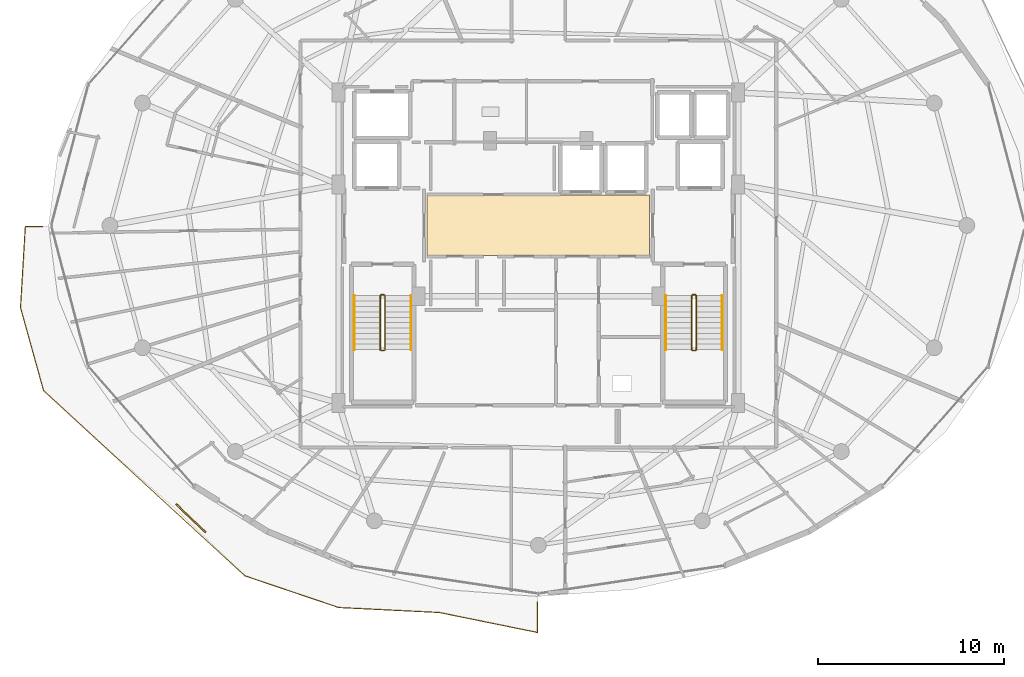
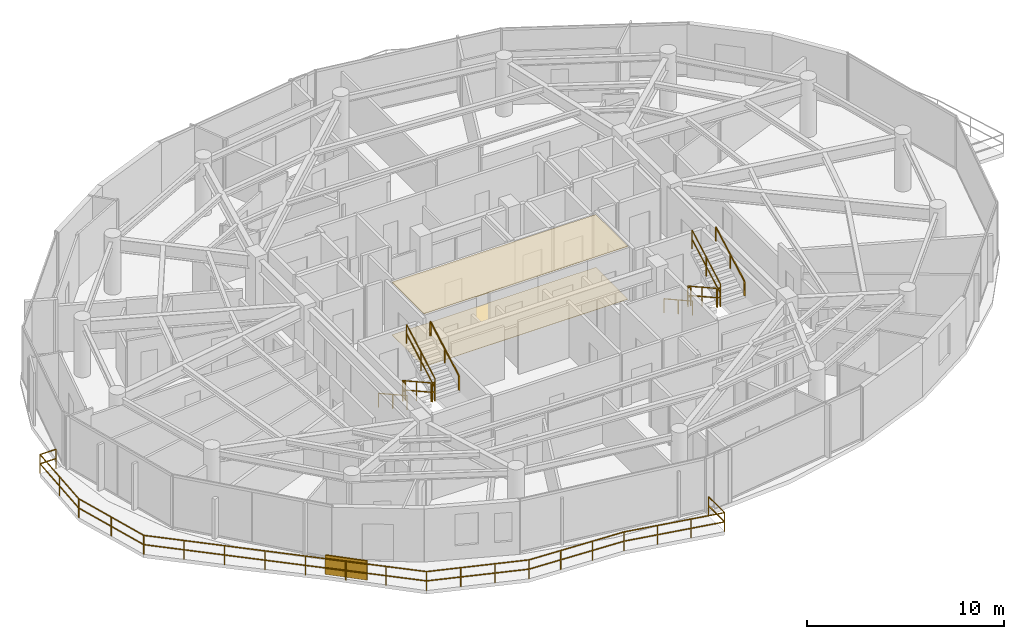
# One storey, part 29 of 31: 14 railings, 2 coverings, 1 shading device.
"""IFC4 building model written with IfcOpenShell, lengths in metres."""

import ifcopenshell
import ifcopenshell.guid

model = None  # the IFC model being written
_history = None  # IfcOwnerHistory: only IFC2X3 demands one
_inside = {}  # id of a spatial element -> (the spatial element, [elements in it])
_under = {}  # id of a project, library or spatial element -> (it, [spatial elements below it])
_declared = {}  # id of a project -> (the project, [libraries it declares])
_typed = {}  # id of a type object -> (the type object, [elements of that type])
_made_of = {}  # id of a material, layer set ... -> (it, [elements and type objects made of it])


def new_model(schema):
    """Start an empty IFC model of exactly this schema.

    Asked for "IFC4X3", IfcOpenShell would pick the latest addendum, in which some entities
    have other attributes; the version numbers below select the first issue.
    IFC2X3 requires an IfcOwnerHistory on every rooted entity: one is made here for all.
    """
    global model, _history
    if schema == "IFC4X3":
        model = ifcopenshell.file(schema_version=(4, 3, 0, 0))
    else:
        model = ifcopenshell.file(schema=schema)
    _inside.clear()
    _under.clear()
    _declared.clear()
    _typed.clear()
    _made_of.clear()
    _history = None
    if model.schema == "IFC2X3":
        org = make("IfcOrganization", Name="unknown")
        user = make(
            "IfcPersonAndOrganization",
            ThePerson=make("IfcPerson", FamilyName="unknown"),
            TheOrganization=org,
        )
        app = make(
            "IfcApplication",
            ApplicationDeveloper=org,
            Version="unknown",
            ApplicationFullName="unknown",
            ApplicationIdentifier="unknown",
        )
        _history = make(
            "IfcOwnerHistory",
            OwningUser=user,
            OwningApplication=app,
            ChangeAction="ADDED",
            CreationDate=0,
        )
    return model


def make(cls, **values):
    """One entity of the class cls with the attributes given. An attribute that is None is left unset."""
    return model.create_entity(
        cls, **{name: value for name, value in values.items() if value is not None}
    )


def rooted(cls, **values):
    """An entity with a GlobalId (a new one), such as an element, a storey or a relation."""
    return make(cls, GlobalId=ifcopenshell.guid.new(), OwnerHistory=_history, **values)


def si_unit(unit_type, name, prefix=None):
    """IfcSIUnit, for example si_unit("LENGTHUNIT", "METRE", prefix="MILLI")."""
    return make("IfcSIUnit", UnitType=unit_type, Prefix=prefix, Name=name)


def assignment(units):
    """IfcUnitAssignment: the units of a project."""
    return None if units is None else make("IfcUnitAssignment", Units=units)


def point(xyz):
    """IfcCartesianPoint."""
    return None if xyz is None else make("IfcCartesianPoint", Coordinates=xyz)


def direction(xyz):
    """IfcDirection."""
    return None if xyz is None else make("IfcDirection", DirectionRatios=xyz)


def frame(location, z_axis=None, x_axis=None):
    """IfcAxis2Placement3D, a coordinate frame: its origin and axes. An axis left out is left unset."""
    return make(
        "IfcAxis2Placement3D",
        Location=point(location),
        Axis=direction(z_axis),
        RefDirection=direction(x_axis),
    )


def frame_2d(location, x_axis=None):
    """IfcAxis2Placement2D, a coordinate frame in the plane: its origin and x axis."""
    return make(
        "IfcAxis2Placement2D", Location=point(location), RefDirection=direction(x_axis)
    )


def origin():
    """The frame at (0, 0, 0) with its axes left unset."""
    return frame((0.0, 0.0, 0.0))


def origin_2d():
    """The frame at (0, 0) in the plane with its x axis left unset."""
    return frame_2d((0.0, 0.0))


def place(relative_to, where):
    """IfcLocalPlacement: puts the frame where relative to a parent placement (None: the world)."""
    return make(
        "IfcLocalPlacement", PlacementRelTo=relative_to, RelativePlacement=where
    )


def context(
    kind, dimensions, precision=None, world=None, true_north=None, identifier=None
):
    """IfcGeometricRepresentationContext, for example the 3D "Model" context."""
    return make(
        "IfcGeometricRepresentationContext",
        ContextIdentifier=identifier,
        ContextType=kind,
        CoordinateSpaceDimension=dimensions,
        Precision=precision,
        WorldCoordinateSystem=world,
        TrueNorth=true_north,
    )


def subcontext(parent, identifier, kind, view, scale=None):
    """IfcGeometricRepresentationSubContext, for example "Body" below "Model"."""
    return make(
        "IfcGeometricRepresentationSubContext",
        ContextIdentifier=identifier,
        ContextType=kind,
        ParentContext=parent,
        TargetScale=scale,
        TargetView=view,
    )


def project(units=None, contexts=None):
    """IfcProject with its units and contexts."""
    return rooted(
        "IfcProject",
        Name="project",
        RepresentationContexts=contexts,
        UnitsInContext=assignment(units),
    )


def spatial(cls, under=None, at=None, **own):
    """A site, building, storey or space (cls), placed at a placement, below another one or the project."""
    s = rooted(cls, ObjectPlacement=at, **own)
    if under is not None:
        _under.setdefault(under.id(), (under, []))[1].append(s)
    return s


def polyline(points):
    """IfcPolyline through the points."""
    return make("IfcPolyline", Points=[point(p) for p in points])


def profile(cls, at=None, kind="AREA", **sizes):
    """A parametric profile (cls). Its sizes go by their IFC names, for example OverallWidth=200.0."""
    return make(cls, ProfileType=kind, Position=at, **sizes)


def rectangle(**sizes):
    """IfcRectangleProfileDef."""
    return profile("IfcRectangleProfileDef", **sizes)


def outline(outer, holes=None, kind="AREA"):
    """IfcArbitraryClosedProfileDef: a profile drawn as a closed curve; with holes, ...WithVoids."""
    if holes is None:
        return make("IfcArbitraryClosedProfileDef", ProfileType=kind, OuterCurve=outer)
    return make(
        "IfcArbitraryProfileDefWithVoids",
        ProfileType=kind,
        OuterCurve=outer,
        InnerCurves=holes,
    )


def extrude(swept, where, along, depth):
    """IfcExtrudedAreaSolid: the profile swept, set in the frame where, extruded along a direction by depth."""
    return make(
        "IfcExtrudedAreaSolid",
        SweptArea=swept,
        Position=where,
        ExtrudedDirection=direction(along),
        Depth=depth,
    )


def shape(context_of_items, identifier, shape_type, items):
    """IfcShapeRepresentation: the items that make up one representation, for example the "Body"."""
    return make(
        "IfcShapeRepresentation",
        ContextOfItems=context_of_items,
        RepresentationIdentifier=identifier,
        RepresentationType=shape_type,
        Items=items,
    )


def material(Name=None, Category=None):
    """IfcMaterial."""
    return make("IfcMaterial", Name=Name, Category=Category)


def layer(
    of_material, thickness, ventilated=None, Name=None, Category=None, Priority=None
):
    """IfcMaterialLayer: one layer of a wall or slab, of a material (None: an air gap)."""
    return make(
        "IfcMaterialLayer",
        Material=of_material,
        LayerThickness=thickness,
        IsVentilated=ventilated,
        Name=Name,
        Category=Category,
        Priority=Priority,
    )


def layer_set(layers, Name=None):
    """IfcMaterialLayerSet."""
    return make("IfcMaterialLayerSet", MaterialLayers=layers, LayerSetName=Name)


def made_of(thing, what):
    """Note that an element or type object is made of a material, layer set ...; save() writes the relation."""
    if what is not None:
        _made_of.setdefault(what.id(), (what, []))[1].append(thing)
    return thing


def type_object(cls, material=None, **own):
    """A type object (cls), such as IfcWallType, which elements share."""
    return made_of(rooted(cls, **own), material)


def element(
    cls,
    number,
    at=None,
    inside=None,
    cuts=None,
    type_object=None,
    material=None,
    context=None,
    identifier="Body",
    shape_type=None,
    held_by="IfcProductDefinitionShape",
    body=None,
    shapes=None,
    **own,
):
    """One element of the class cls, such as IfcWall. Its Tag is "e" and its number.

    at: its placement. inside: the storey or other place that contains it. cuts: it is an
    opening in that element (IfcRelVoidsElement). A single representation is given by context,
    identifier, shape_type and body (its items); several are given by shapes. held_by: the class
    of the entity that holds the representations. save() writes the other relations.
    """
    e = rooted(cls, Tag="e%d" % number, ObjectPlacement=at, **own)
    if body is not None:
        shapes = [shape(context, identifier, shape_type, body)]
    if shapes is not None:
        e.Representation = make(held_by, Representations=shapes)
    if inside is not None:
        _inside.setdefault(inside.id(), (inside, []))[1].append(e)
    if cuts is not None:
        rooted(
            "IfcRelVoidsElement", RelatingBuildingElement=cuts, RelatedOpeningElement=e
        )
    if type_object is not None:
        _typed.setdefault(type_object.id(), (type_object, []))[1].append(e)
    return made_of(e, material)


def aggregate(whole, parts):
    """IfcRelAggregates: a whole, such as a stair, and the parts it consists of."""
    return rooted("IfcRelAggregates", RelatingObject=whole, RelatedObjects=parts)


def save(model, path):
    """Write the relations noted so far, then the file.

    IfcRelAggregates (storeys below a building ...), IfcRelContainedInSpatialStructure (elements
    in a storey), IfcRelDefinesByType, IfcRelAssociatesMaterial and IfcRelDeclares: one each for
    every whole, place, type object, material and project.
    """
    for whole, parts in _under.values():
        aggregate(whole, parts)
    for where, things in _inside.values():
        rooted(
            "IfcRelContainedInSpatialStructure",
            RelatedElements=things,
            RelatingStructure=where,
        )
    for kind, things in _typed.values():
        rooted("IfcRelDefinesByType", RelatedObjects=things, RelatingType=kind)
    for what, things in _made_of.values():
        rooted("IfcRelAssociatesMaterial", RelatedObjects=things, RelatingMaterial=what)
    for by, libraries in _declared.values():
        rooted("IfcRelDeclares", RelatingContext=by, RelatedDefinitions=libraries)
    model.write(path)


model = new_model("IFC4")

# Units and contexts
model_context = context("Model", 3, precision=1e-05, world=origin(), true_north=direction((0.0, 1.0)))
body_context = subcontext(model_context, "Body", "Model", "MODEL_VIEW")
ifc_project = project(units=[si_unit("LENGTHUNIT", "METRE"), si_unit("AREAUNIT", "SQUARE_METRE"), si_unit("VOLUMEUNIT", "CUBIC_METRE"), si_unit("PLANEANGLEUNIT", "RADIAN"), si_unit("MASSUNIT", "GRAM", prefix="KILO")], contexts=[model_context])

# Site, building, storey
site_placement = place(None, origin())
site = spatial("IfcSite", under=ifc_project, at=site_placement, CompositionType="ELEMENT")
building_placement = place(site_placement, origin())
building = spatial("IfcBuilding", under=site, at=building_placement, Name="Vorneva Point Tower", CompositionType="ELEMENT")
storey_placement = place(building_placement, frame((0.0, 0.0, 266.199951171875)))
storey = spatial("IfcBuildingStorey", under=building, at=storey_placement, Name="L72", CompositionType="ELEMENT", Elevation=266.199951171875)

# Coverings
ifc_material_1 = material(Name="Perforated acoustic aluminium baffle ceiling", Category="aluminium")
ifc_layer_1 = layer(ifc_material_1, 0.030029296875)
ifc_layer_set_1 = layer_set([ifc_layer_1], Name="Perforated acoustic aluminium baffle ceiling")
covering_type_1 = type_object("IfcCoveringType", Name="COV-CEIL-BAF", PredefinedType="CEILING", material=ifc_layer_set_1)
covering_1_placement = place(storey_placement, frame((0.0, 0.0, 3.260009765625)))
element("IfcCovering", 1, at=covering_1_placement, inside=storey, type_object=covering_type_1, Name="L72 Lift Lobby Acoustic Baffle Ceiling", PredefinedType="CEILING", context=body_context, shape_type="SweptSolid", body=[
    extrude(outline(polyline([(32.02001953125, 24.3701171875), (43.97998046875, 24.3701171875), (43.97998046875, 27.6298828125), (32.02001953125, 27.6298828125), (32.02001953125, 24.3701171875)])), origin(), (0.0, 0.0, 1.0), 0.03515625),
])
ifc_material_2 = material(Name="Acoustic wool hospitality carpet", Category="textile")
ifc_layer_2 = layer(ifc_material_2, 0.01806640625)
ifc_layer_set_2 = layer_set([ifc_layer_2], Name="Acoustic wool hospitality carpet")
covering_type_2 = type_object("IfcCoveringType", Name="COV-FLR-CRP", PredefinedType="FLOORING", material=ifc_layer_set_2)
covering_2_placement = place(storey_placement, frame((0.0, 0.0, -0.0048828125)))
element("IfcCovering", 2, at=covering_2_placement, inside=storey, type_object=covering_type_2, Name="L72 Lift Lobby Floor Finish", PredefinedType="FLOORING", context=body_context, shape_type="SweptSolid", body=[
    extrude(outline(polyline([(32.02001953125, 24.3701171875), (43.97998046875, 24.3701171875), (43.97998046875, 27.6298828125), (32.02001953125, 27.6298828125), (32.02001953125, 24.3701171875)])), origin(), (0.0, 0.0, 1.0), 0.02294921875),
])

# Railings
ifc_material_3 = material(Name="Pale anodised aluminium", Category="aluminium")
railing_type_1 = type_object("IfcRailingType", Name="RL-BAL-1200", PredefinedType="BALUSTRADE", material=ifc_material_3)
railing_1_placement = place(storey_placement, frame((37.949951171875, 4.10009765625, 0.0)))
element("IfcRailing", 3, at=railing_1_placement, inside=storey, type_object=railing_type_1, Name="L72 Wave Balcony Balustrade SW.1", PredefinedType="BALUSTRADE", context=body_context, shape_type="SweptSolid", body=[
    extrude(rectangle(XDim=0.048095703125, YDim=0.048095703125, at=origin_2d()), frame((0.0, 0.0, 1.17578125), z_axis=(0.0, 1.0, 0.0), x_axis=(-1.0, 0.0, 0.0)), (0.0, 0.0, 1.0), 1.622802734375),
    extrude(rectangle(XDim=0.048095703125, YDim=0.048095703125, at=origin_2d()), frame((0.0, 0.0, 0.60009765625), z_axis=(0.0, 1.0, 0.0), x_axis=(-1.0, 0.0, 0.0)), (0.0, 0.0, 1.0), 1.622802734375),
    extrude(rectangle(XDim=0.0419921875, YDim=0.0419921875, at=origin_2d()), origin(), (0.0, 0.0, 1.0), 1.15185546875),
    extrude(rectangle(XDim=0.0419921875, YDim=0.0419921875, at=origin_2d()), frame((0.0, 1.622802734375, 0.0)), (0.0, 0.0, 1.0), 1.15185546875),
])
railing_2_placement = place(storey_placement, frame((11.333740234375, 25.949951171875, 0.0)))
element("IfcRailing", 4, at=railing_2_placement, inside=storey, type_object=railing_type_1, Name="L72 Wave Balcony Balustrade SW.2", PredefinedType="BALUSTRADE", context=body_context, shape_type="SweptSolid", body=[
    extrude(rectangle(XDim=0.048095703125, YDim=0.048095703125, at=origin_2d()), frame((0.0, 0.0, 1.17578125), z_axis=(-1.0, 0.0, 0.0), x_axis=(0.0, -1.0, 0.0)), (0.0, 0.0, 1.0), 0.936767578125),
    extrude(rectangle(XDim=0.048095703125, YDim=0.048095703125, at=origin_2d()), frame((0.0, 0.0, 0.60009765625), z_axis=(-1.0, 0.0, 0.0), x_axis=(0.0, -1.0, 0.0)), (0.0, 0.0, 1.0), 0.936767578125),
    extrude(rectangle(XDim=0.048095703125, YDim=0.048095703125, at=origin_2d()), frame((-0.936767578125, 0.0, 1.17578125), z_axis=(-0.059061709843, -0.998254333539, 0.0), x_axis=(0.998254333539, -0.059061709843, 0.0)), (0.0, 0.0, 1.0), 4.381591796875),
    extrude(rectangle(XDim=0.048095703125, YDim=0.048095703125, at=origin_2d()), frame((-0.936767578125, 0.0, 0.60009765625), z_axis=(-0.059061709843, -0.998254333539, 0.0), x_axis=(0.998254333539, -0.059061709843, 0.0)), (0.0, 0.0, 1.0), 4.381591796875),
    extrude(rectangle(XDim=0.048095703125, YDim=0.048095703125, at=origin_2d()), frame((-1.195556640625, -4.3740234375, 1.17578125), z_axis=(0.267706425434, -0.963500529207, 0.0), x_axis=(0.963500529207, 0.267706425434, 0.0)), (0.0, 0.0, 1.0), 4.629150390625),
    extrude(rectangle(XDim=0.048095703125, YDim=0.048095703125, at=origin_2d()), frame((-1.195556640625, -4.3740234375, 0.60009765625), z_axis=(0.267706425434, -0.963500529207, 0.0), x_axis=(0.963500529207, 0.267706425434, 0.0)), (0.0, 0.0, 1.0), 4.629150390625),
    extrude(rectangle(XDim=0.048095703125, YDim=0.048095703125, at=origin_2d()), frame((0.043701171875, -8.834228515625, 1.17578125), z_axis=(0.735988825116, -0.676993684833, 0.0), x_axis=(0.676993684833, 0.735988825116, 0.0)), (0.0, 0.0, 1.0), 14.728271484375),
    extrude(rectangle(XDim=0.048095703125, YDim=0.048095703125, at=origin_2d()), frame((0.043701171875, -8.834228515625, 0.60009765625), z_axis=(0.735988825116, -0.676993684833, 0.0), x_axis=(0.676993684833, 0.735988825116, 0.0)), (0.0, 0.0, 1.0), 14.728271484375),
    extrude(rectangle(XDim=0.048095703125, YDim=0.048095703125, at=origin_2d()), frame((10.883544921875, -18.80517578125, 1.17578125), z_axis=(0.947356664251, -0.320180184737, 0.0), x_axis=(0.320180184737, 0.947356664251, 0.0)), (0.0, 0.0, 1.0), 5.314697265625),
    extrude(rectangle(XDim=0.048095703125, YDim=0.048095703125, at=origin_2d()), frame((10.883544921875, -18.80517578125, 0.60009765625), z_axis=(0.947356664251, -0.320180184737, 0.0), x_axis=(0.320180184737, 0.947356664251, 0.0)), (0.0, 0.0, 1.0), 5.314697265625),
    extrude(rectangle(XDim=0.048095703125, YDim=0.048095703125, at=origin_2d()), frame((15.91845703125, -20.5068359375, 1.17578125), z_axis=(0.998772010445, -0.049542619549, 0.0), x_axis=(0.049542619549, 0.998772010445, 0.0)), (0.0, 0.0, 1.0), 5.425537109375),
    extrude(rectangle(XDim=0.048095703125, YDim=0.048095703125, at=origin_2d()), frame((15.91845703125, -20.5068359375, 0.60009765625), z_axis=(0.998772010445, -0.049542619549, 0.0), x_axis=(0.049542619549, 0.998772010445, 0.0)), (0.0, 0.0, 1.0), 5.425537109375),
    extrude(rectangle(XDim=0.048095703125, YDim=0.048095703125, at=origin_2d()), frame((21.33740234375, -20.775634765625, 1.17578125), z_axis=(0.979916253613, -0.199409467944, 0.0), x_axis=(0.199409467944, 0.979916253613, 0.0)), (0.0, 0.0, 1.0), 5.386962890625),
    extrude(rectangle(XDim=0.048095703125, YDim=0.048095703125, at=origin_2d()), frame((21.33740234375, -20.775634765625, 0.60009765625), z_axis=(0.979916253613, -0.199409467944, 0.0), x_axis=(0.199409467944, 0.979916253613, 0.0)), (0.0, 0.0, 1.0), 5.386962890625),
    extrude(rectangle(XDim=0.0419921875, YDim=0.0419921875, at=origin_2d()), origin(), (0.0, 0.0, 1.0), 1.15185546875),
    extrude(rectangle(XDim=0.0419921875, YDim=0.0419921875, at=origin_2d()), frame((-0.936767578125, 0.0, 0.0)), (0.0, 0.0, 1.0), 1.15185546875),
    extrude(rectangle(XDim=0.0419921875, YDim=0.0419921875, at=origin_2d()), frame((-1.066162109375, -2.18701171875, 0.0)), (0.0, 0.0, 1.0), 1.15185546875),
    extrude(rectangle(XDim=0.0419921875, YDim=0.0419921875, at=origin_2d()), frame((-1.195556640625, -4.3740234375, 0.0)), (0.0, 0.0, 1.0), 1.15185546875),
    extrude(rectangle(XDim=0.0419921875, YDim=0.0419921875, at=origin_2d()), frame((-0.575927734375, -6.60400390625, 0.0)), (0.0, 0.0, 1.0), 1.15185546875),
    extrude(rectangle(XDim=0.0419921875, YDim=0.0419921875, at=origin_2d()), frame((0.043701171875, -8.834228515625, 0.0)), (0.0, 0.0, 1.0), 1.15185546875),
    extrude(rectangle(XDim=0.0419921875, YDim=0.0419921875, at=origin_2d()), frame((1.59228515625, -10.258544921875, 0.0)), (0.0, 0.0, 1.0), 1.15185546875),
    extrude(rectangle(XDim=0.0419921875, YDim=0.0419921875, at=origin_2d()), frame((3.140869140625, -11.68310546875, 0.0)), (0.0, 0.0, 1.0), 1.15185546875),
    extrude(rectangle(XDim=0.0419921875, YDim=0.0419921875, at=origin_2d()), frame((4.689453125, -13.107421875, 0.0)), (0.0, 0.0, 1.0), 1.15185546875),
    extrude(rectangle(XDim=0.0419921875, YDim=0.0419921875, at=origin_2d()), frame((6.23779296875, -14.531982421875, 0.0)), (0.0, 0.0, 1.0), 1.15185546875),
    extrude(rectangle(XDim=0.0419921875, YDim=0.0419921875, at=origin_2d()), frame((7.786376953125, -15.956298828125, 0.0)), (0.0, 0.0, 1.0), 1.15185546875),
    extrude(rectangle(XDim=0.0419921875, YDim=0.0419921875, at=origin_2d()), frame((9.3349609375, -17.380859375, 0.0)), (0.0, 0.0, 1.0), 1.15185546875),
    extrude(rectangle(XDim=0.0419921875, YDim=0.0419921875, at=origin_2d()), frame((10.883544921875, -18.80517578125, 0.0)), (0.0, 0.0, 1.0), 1.15185546875),
    extrude(rectangle(XDim=0.0419921875, YDim=0.0419921875, at=origin_2d()), frame((12.561767578125, -19.372314453125, 0.0)), (0.0, 0.0, 1.0), 1.15185546875),
    extrude(rectangle(XDim=0.0419921875, YDim=0.0419921875, at=origin_2d()), frame((14.240234375, -19.939697265625, 0.0)), (0.0, 0.0, 1.0), 1.15185546875),
    extrude(rectangle(XDim=0.0419921875, YDim=0.0419921875, at=origin_2d()), frame((15.91845703125, -20.5068359375, 0.0)), (0.0, 0.0, 1.0), 1.15185546875),
    extrude(rectangle(XDim=0.0419921875, YDim=0.0419921875, at=origin_2d()), frame((17.724853515625, -20.596435546875, 0.0)), (0.0, 0.0, 1.0), 1.15185546875),
    extrude(rectangle(XDim=0.0419921875, YDim=0.0419921875, at=origin_2d()), frame((19.531005859375, -20.68603515625, 0.0)), (0.0, 0.0, 1.0), 1.15185546875),
    extrude(rectangle(XDim=0.0419921875, YDim=0.0419921875, at=origin_2d()), frame((21.33740234375, -20.775634765625, 0.0)), (0.0, 0.0, 1.0), 1.15185546875),
    extrude(rectangle(XDim=0.0419921875, YDim=0.0419921875, at=origin_2d()), frame((23.096923828125, -21.1337890625, 0.0)), (0.0, 0.0, 1.0), 1.15185546875),
    extrude(rectangle(XDim=0.0419921875, YDim=0.0419921875, at=origin_2d()), frame((24.856689453125, -21.49169921875, 0.0)), (0.0, 0.0, 1.0), 1.15185546875),
    extrude(rectangle(XDim=0.0419921875, YDim=0.0419921875, at=origin_2d()), frame((26.6162109375, -21.849853515625, 0.0)), (0.0, 0.0, 1.0), 1.15185546875),
])
ifc_material_4 = material(Name="Brushed stainless steel S304", Category="steel")
railing_type_2 = type_object("IfcRailingType", Name="RL-HND-920", PredefinedType="HANDRAIL", material=ifc_material_4)
railing_3_placement = place(storey_placement, frame((28.10009765625, 22.219970703125, 0.161376953125)))
element("IfcRailing", 5, at=railing_3_placement, inside=storey, type_object=railing_type_2, Name="L72 ST1 stair handrail 1", PredefinedType="HANDRAIL", context=body_context, shape_type="SweptSolid", body=[
    extrude(rectangle(XDim=0.048095703125, YDim=0.048095703125, at=origin_2d()), frame((0.0, 0.0, 0.8759765625), z_axis=(0.0, -0.873810046276, 0.486267419253), x_axis=(1.0, 0.0, 0.0)), (0.0, 0.0, 1.0), 3.318603515625),
    extrude(rectangle(XDim=0.0419921875, YDim=0.0419921875, at=origin_2d()), origin(), (0.0, 0.0, 1.0), 0.851806640625),
    extrude(rectangle(XDim=0.0419921875, YDim=0.0419921875, at=origin_2d()), frame((0.0, -1.449951171875, 0.806884765625)), (0.0, 0.0, 1.0), 0.851806640625),
    extrude(rectangle(XDim=0.0419921875, YDim=0.0419921875, at=origin_2d()), frame((0.0, -2.89990234375, 1.61376953125)), (0.0, 0.0, 1.0), 0.851806640625),
])
railing_4_placement = place(storey_placement, frame((31.14990234375, 19.320068359375, 1.9365234375)))
element("IfcRailing", 6, at=railing_4_placement, inside=storey, type_object=railing_type_2, Name="L72 ST1 stair handrail 2", PredefinedType="HANDRAIL", context=body_context, shape_type="SweptSolid", body=[
    extrude(rectangle(XDim=0.048095703125, YDim=0.048095703125, at=origin_2d()), frame((0.0, 0.0, 0.8759765625), z_axis=(0.0, 0.873841303929, 0.486211245805), x_axis=(-1.0, 0.0, 0.0)), (0.0, 0.0, 1.0), 3.318603515625),
    extrude(rectangle(XDim=0.0419921875, YDim=0.0419921875, at=origin_2d()), origin(), (0.0, 0.0, 1.0), 0.851806640625),
    extrude(rectangle(XDim=0.0419921875, YDim=0.0419921875, at=origin_2d()), frame((0.0, 1.449951171875, 0.806640625)), (0.0, 0.0, 1.0), 0.851806640625),
    extrude(rectangle(XDim=0.0419921875, YDim=0.0419921875, at=origin_2d()), frame((0.0, 2.89990234375, 1.613525390625)), (0.0, 0.0, 1.0), 0.851806640625),
])
railing_5_placement = place(storey_placement, frame((44.85009765625, 22.219970703125, 0.161376953125)))
element("IfcRailing", 7, at=railing_5_placement, inside=storey, type_object=railing_type_2, Name="L72 ST2 stair handrail 1", PredefinedType="HANDRAIL", context=body_context, shape_type="SweptSolid", body=[
    extrude(rectangle(XDim=0.048095703125, YDim=0.048095703125, at=origin_2d()), frame((0.0, 0.0, 0.8759765625), z_axis=(0.0, -0.873810046276, 0.486267419253), x_axis=(1.0, 0.0, 0.0)), (0.0, 0.0, 1.0), 3.318603515625),
    extrude(rectangle(XDim=0.0419921875, YDim=0.0419921875, at=origin_2d()), origin(), (0.0, 0.0, 1.0), 0.851806640625),
    extrude(rectangle(XDim=0.0419921875, YDim=0.0419921875, at=origin_2d()), frame((0.0, -1.449951171875, 0.806884765625)), (0.0, 0.0, 1.0), 0.851806640625),
    extrude(rectangle(XDim=0.0419921875, YDim=0.0419921875, at=origin_2d()), frame((0.0, -2.89990234375, 1.61376953125)), (0.0, 0.0, 1.0), 0.851806640625),
])
railing_6_placement = place(storey_placement, frame((47.89990234375, 19.320068359375, 1.9365234375)))
element("IfcRailing", 8, at=railing_6_placement, inside=storey, type_object=railing_type_2, Name="L72 ST2 stair handrail 2", PredefinedType="HANDRAIL", context=body_context, shape_type="SweptSolid", body=[
    extrude(rectangle(XDim=0.048095703125, YDim=0.048095703125, at=origin_2d()), frame((0.0, 0.0, 0.8759765625), z_axis=(0.0, 0.873841303929, 0.486211245805), x_axis=(-1.0, 0.0, 0.0)), (0.0, 0.0, 1.0), 3.318603515625),
    extrude(rectangle(XDim=0.0419921875, YDim=0.0419921875, at=origin_2d()), origin(), (0.0, 0.0, 1.0), 0.851806640625),
    extrude(rectangle(XDim=0.0419921875, YDim=0.0419921875, at=origin_2d()), frame((0.0, 1.449951171875, 0.806640625)), (0.0, 0.0, 1.0), 0.851806640625),
    extrude(rectangle(XDim=0.0419921875, YDim=0.0419921875, at=origin_2d()), frame((0.0, 2.89990234375, 1.613525390625)), (0.0, 0.0, 1.0), 0.851806640625),
])
railing_type_3 = type_object("IfcRailingType", Name="RL-STG-1100", PredefinedType="GUARDRAIL", material=ifc_material_4)
railing_7_placement = place(storey_placement, frame((29.5, 22.219970703125, 0.161376953125)))
element("IfcRailing", 9, at=railing_7_placement, inside=storey, type_object=railing_type_3, Name="L72 ST1 stair guard 1", PredefinedType="GUARDRAIL", context=body_context, shape_type="SweptSolid", body=[
    extrude(rectangle(XDim=0.048095703125, YDim=0.048095703125, at=origin_2d()), frame((0.0, 0.0, 1.17578125), z_axis=(0.0, -0.873810046276, 0.486267419253), x_axis=(1.0, 0.0, 0.0)), (0.0, 0.0, 1.0), 3.318603515625),
    extrude(rectangle(XDim=0.048095703125, YDim=0.048095703125, at=origin_2d()), frame((0.0, 0.0, 0.60009765625), z_axis=(0.0, -0.873810046276, 0.486267419253), x_axis=(1.0, 0.0, 0.0)), (0.0, 0.0, 1.0), 3.318603515625),
    extrude(rectangle(XDim=0.0419921875, YDim=0.0419921875, at=origin_2d()), origin(), (0.0, 0.0, 1.0), 1.15185546875),
    extrude(rectangle(XDim=0.0419921875, YDim=0.0419921875, at=origin_2d()), frame((0.0, -1.449951171875, 0.806884765625)), (0.0, 0.0, 1.0), 1.15185546875),
    extrude(rectangle(XDim=0.0419921875, YDim=0.0419921875, at=origin_2d()), frame((0.0, -2.89990234375, 1.61376953125)), (0.0, 0.0, 1.0), 1.15185546875),
])
railing_8_placement = place(storey_placement, frame((29.550048828125, 19.27001953125, 1.775146484375)))
element("IfcRailing", 10, at=railing_8_placement, inside=storey, type_object=railing_type_3, Name="L72 ST1 stair guard 2", PredefinedType="GUARDRAIL", context=body_context, shape_type="SweptSolid", body=[
    extrude(rectangle(XDim=0.048095703125, YDim=0.048095703125, at=origin_2d()), frame((0.0, 0.0, 1.17578125), z_axis=(1.0, 0.0, 0.0), x_axis=(0.0, 1.0, 0.0)), (0.0, 0.0, 1.0), 0.14990234375),
    extrude(rectangle(XDim=0.048095703125, YDim=0.048095703125, at=origin_2d()), frame((0.0, 0.0, 0.60009765625), z_axis=(1.0, 0.0, 0.0), x_axis=(0.0, 1.0, 0.0)), (0.0, 0.0, 1.0), 0.14990234375),
    extrude(rectangle(XDim=0.0419921875, YDim=0.0419921875, at=origin_2d()), origin(), (0.0, 0.0, 1.0), 1.15185546875),
    extrude(rectangle(XDim=0.0419921875, YDim=0.0419921875, at=origin_2d()), frame((0.14990234375, 0.0, 0.0)), (0.0, 0.0, 1.0), 1.15185546875),
])
railing_9_placement = place(storey_placement, frame((29.75, 19.320068359375, 1.9365234375)))
element("IfcRailing", 11, at=railing_9_placement, inside=storey, type_object=railing_type_3, Name="L72 ST1 stair guard 3", PredefinedType="GUARDRAIL", context=body_context, shape_type="SweptSolid", body=[
    extrude(rectangle(XDim=0.048095703125, YDim=0.048095703125, at=origin_2d()), frame((0.0, 0.0, 1.17578125), z_axis=(0.0, 0.873841303929, 0.486211245805), x_axis=(-1.0, 0.0, 0.0)), (0.0, 0.0, 1.0), 3.318603515625),
    extrude(rectangle(XDim=0.048095703125, YDim=0.048095703125, at=origin_2d()), frame((0.0, 0.0, 0.60009765625), z_axis=(0.0, 0.873841303929, 0.486211245805), x_axis=(-1.0, 0.0, 0.0)), (0.0, 0.0, 1.0), 3.318603515625),
    extrude(rectangle(XDim=0.0419921875, YDim=0.0419921875, at=origin_2d()), origin(), (0.0, 0.0, 1.0), 1.15185546875),
    extrude(rectangle(XDim=0.0419921875, YDim=0.0419921875, at=origin_2d()), frame((0.0, 1.449951171875, 0.806640625)), (0.0, 0.0, 1.0), 1.15185546875),
    extrude(rectangle(XDim=0.0419921875, YDim=0.0419921875, at=origin_2d()), frame((0.0, 2.89990234375, 1.613525390625)), (0.0, 0.0, 1.0), 1.15185546875),
])
railing_10_placement = place(storey_placement, frame((29.550048828125, 22.27001953125, 0.0)))
element("IfcRailing", 12, at=railing_10_placement, inside=storey, type_object=railing_type_3, Name="L72 ST1 stair guard 4", PredefinedType="GUARDRAIL", context=body_context, shape_type="SweptSolid", body=[
    extrude(rectangle(XDim=0.048095703125, YDim=0.048095703125, at=origin_2d()), frame((0.0, 0.0, 1.17578125), z_axis=(1.0, 0.0, 0.0), x_axis=(0.0, 1.0, 0.0)), (0.0, 0.0, 1.0), 0.14990234375),
    extrude(rectangle(XDim=0.048095703125, YDim=0.048095703125, at=origin_2d()), frame((0.0, 0.0, 0.60009765625), z_axis=(1.0, 0.0, 0.0), x_axis=(0.0, 1.0, 0.0)), (0.0, 0.0, 1.0), 0.14990234375),
    extrude(rectangle(XDim=0.0419921875, YDim=0.0419921875, at=origin_2d()), origin(), (0.0, 0.0, 1.0), 1.15185546875),
    extrude(rectangle(XDim=0.0419921875, YDim=0.0419921875, at=origin_2d()), frame((0.14990234375, 0.0, 0.0)), (0.0, 0.0, 1.0), 1.15185546875),
])
railing_11_placement = place(storey_placement, frame((46.25, 22.219970703125, 0.161376953125)))
element("IfcRailing", 13, at=railing_11_placement, inside=storey, type_object=railing_type_3, Name="L72 ST2 stair guard 1", PredefinedType="GUARDRAIL", context=body_context, shape_type="SweptSolid", body=[
    extrude(rectangle(XDim=0.048095703125, YDim=0.048095703125, at=origin_2d()), frame((0.0, 0.0, 1.17578125), z_axis=(0.0, -0.873810046276, 0.486267419253), x_axis=(1.0, 0.0, 0.0)), (0.0, 0.0, 1.0), 3.318603515625),
    extrude(rectangle(XDim=0.048095703125, YDim=0.048095703125, at=origin_2d()), frame((0.0, 0.0, 0.60009765625), z_axis=(0.0, -0.873810046276, 0.486267419253), x_axis=(1.0, 0.0, 0.0)), (0.0, 0.0, 1.0), 3.318603515625),
    extrude(rectangle(XDim=0.0419921875, YDim=0.0419921875, at=origin_2d()), origin(), (0.0, 0.0, 1.0), 1.15185546875),
    extrude(rectangle(XDim=0.0419921875, YDim=0.0419921875, at=origin_2d()), frame((0.0, -1.449951171875, 0.806884765625)), (0.0, 0.0, 1.0), 1.15185546875),
    extrude(rectangle(XDim=0.0419921875, YDim=0.0419921875, at=origin_2d()), frame((0.0, -2.89990234375, 1.61376953125)), (0.0, 0.0, 1.0), 1.15185546875),
])
railing_12_placement = place(storey_placement, frame((46.300048828125, 19.27001953125, 1.775146484375)))
element("IfcRailing", 14, at=railing_12_placement, inside=storey, type_object=railing_type_3, Name="L72 ST2 stair guard 2", PredefinedType="GUARDRAIL", context=body_context, shape_type="SweptSolid", body=[
    extrude(rectangle(XDim=0.048095703125, YDim=0.048095703125, at=origin_2d()), frame((0.0, 0.0, 1.17578125), z_axis=(1.0, 0.0, 0.0), x_axis=(0.0, 1.0, 0.0)), (0.0, 0.0, 1.0), 0.14990234375),
    extrude(rectangle(XDim=0.048095703125, YDim=0.048095703125, at=origin_2d()), frame((0.0, 0.0, 0.60009765625), z_axis=(1.0, 0.0, 0.0), x_axis=(0.0, 1.0, 0.0)), (0.0, 0.0, 1.0), 0.14990234375),
    extrude(rectangle(XDim=0.0419921875, YDim=0.0419921875, at=origin_2d()), origin(), (0.0, 0.0, 1.0), 1.15185546875),
    extrude(rectangle(XDim=0.0419921875, YDim=0.0419921875, at=origin_2d()), frame((0.14990234375, 0.0, 0.0)), (0.0, 0.0, 1.0), 1.15185546875),
])
railing_13_placement = place(storey_placement, frame((46.5, 19.320068359375, 1.9365234375)))
element("IfcRailing", 15, at=railing_13_placement, inside=storey, type_object=railing_type_3, Name="L72 ST2 stair guard 3", PredefinedType="GUARDRAIL", context=body_context, shape_type="SweptSolid", body=[
    extrude(rectangle(XDim=0.048095703125, YDim=0.048095703125, at=origin_2d()), frame((0.0, 0.0, 1.17578125), z_axis=(0.0, 0.873841303929, 0.486211245805), x_axis=(-1.0, 0.0, 0.0)), (0.0, 0.0, 1.0), 3.318603515625),
    extrude(rectangle(XDim=0.048095703125, YDim=0.048095703125, at=origin_2d()), frame((0.0, 0.0, 0.60009765625), z_axis=(0.0, 0.873841303929, 0.486211245805), x_axis=(-1.0, 0.0, 0.0)), (0.0, 0.0, 1.0), 3.318603515625),
    extrude(rectangle(XDim=0.0419921875, YDim=0.0419921875, at=origin_2d()), origin(), (0.0, 0.0, 1.0), 1.15185546875),
    extrude(rectangle(XDim=0.0419921875, YDim=0.0419921875, at=origin_2d()), frame((0.0, 1.449951171875, 0.806640625)), (0.0, 0.0, 1.0), 1.15185546875),
    extrude(rectangle(XDim=0.0419921875, YDim=0.0419921875, at=origin_2d()), frame((0.0, 2.89990234375, 1.613525390625)), (0.0, 0.0, 1.0), 1.15185546875),
])
railing_14_placement = place(storey_placement, frame((46.300048828125, 22.27001953125, 0.0)))
element("IfcRailing", 16, at=railing_14_placement, inside=storey, type_object=railing_type_3, Name="L72 ST2 stair guard 4", PredefinedType="GUARDRAIL", context=body_context, shape_type="SweptSolid", body=[
    extrude(rectangle(XDim=0.048095703125, YDim=0.048095703125, at=origin_2d()), frame((0.0, 0.0, 1.17578125), z_axis=(1.0, 0.0, 0.0), x_axis=(0.0, 1.0, 0.0)), (0.0, 0.0, 1.0), 0.14990234375),
    extrude(rectangle(XDim=0.048095703125, YDim=0.048095703125, at=origin_2d()), frame((0.0, 0.0, 0.60009765625), z_axis=(1.0, 0.0, 0.0), x_axis=(0.0, 1.0, 0.0)), (0.0, 0.0, 1.0), 0.14990234375),
    extrude(rectangle(XDim=0.0419921875, YDim=0.0419921875, at=origin_2d()), origin(), (0.0, 0.0, 1.0), 1.15185546875),
    extrude(rectangle(XDim=0.0419921875, YDim=0.0419921875, at=origin_2d()), frame((0.14990234375, 0.0, 0.0)), (0.0, 0.0, 1.0), 1.15185546875),
])

# Shading device
shading_device_type = type_object("IfcShadingDeviceType", Name="SHD-JAL-1200", PredefinedType="JALOUSIE", material=ifc_material_3)
shading_device_placement = place(storey_placement, frame((19.30224609375, 10.24853515625, -0.02001953125), z_axis=(0.0, 0.0, 1.0), x_axis=(0.721131761714, -0.692797937531, 0.0)))
element("IfcShadingDevice", 17, at=shading_device_placement, inside=storey, type_object=shading_device_type, Name="L72 Balcony Vertical-Greenery Planter Screen SW.2", PredefinedType="JALOUSIE", context=body_context, shape_type="SweptSolid", body=[
    extrude(rectangle(XDim=2.199951171875, YDim=0.080078125, at=origin_2d()), origin(), (0.0, 0.0, 1.0), 1.199951171875),
])

save(model, "model.ifc")
